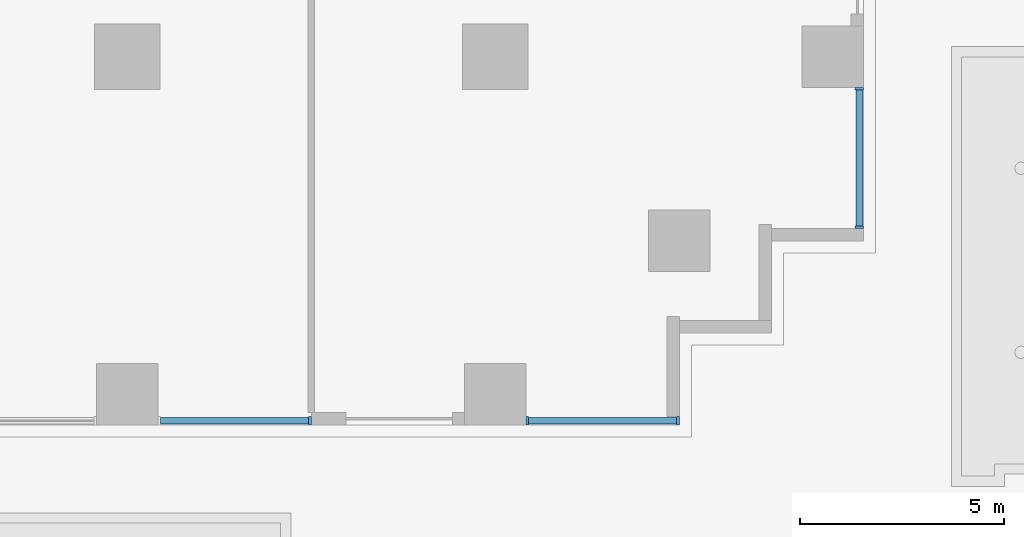
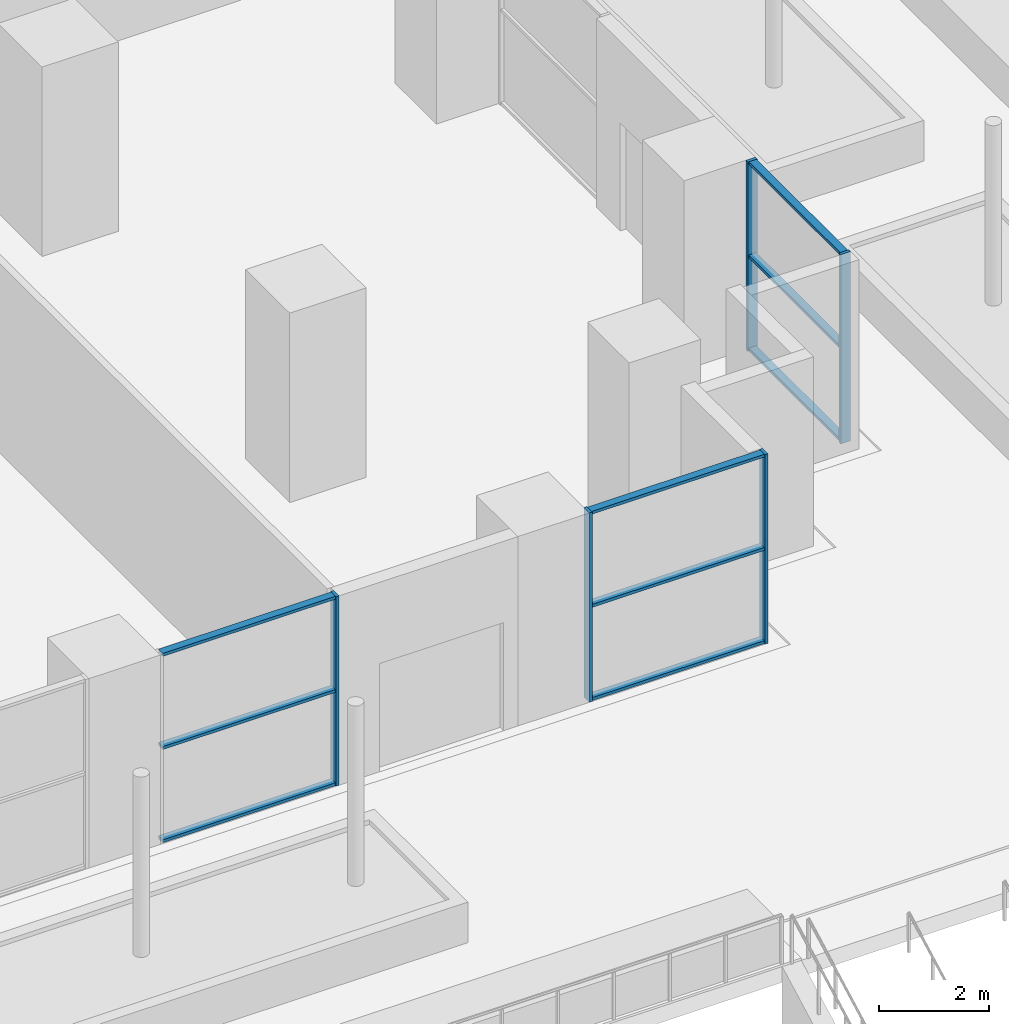
# One storey, part 3 of 18: 14 members, 3 elements without a shape of their own.
"""IFC4 building model written with IfcOpenShell, lengths in metres."""

from ifc_helpers import new_model, si_unit, direction, frame, origin, origin_2d, place, context, subcontext, project, spatial, rectangle, extrude, material, material_profile, profile_set, type_object, element, aggregate, save


model = new_model("IFC4")

# Units and contexts
model_context = context("Model", 3, precision=1e-05, world=origin(), true_north=direction((0.0, 1.0)))
body_context = subcontext(model_context, "Body", "Model", "MODEL_VIEW")
ifc_project = project(units=[si_unit("LENGTHUNIT", "METRE"), si_unit("AREAUNIT", "SQUARE_METRE"), si_unit("VOLUMEUNIT", "CUBIC_METRE"), si_unit("PLANEANGLEUNIT", "RADIAN"), si_unit("MASSUNIT", "GRAM", prefix="KILO")], contexts=[model_context])

# Site, building, storey
site_placement = place(None, origin())
site = spatial("IfcSite", under=ifc_project, at=site_placement, CompositionType="ELEMENT")
building_placement = place(site_placement, origin())
building = spatial("IfcBuilding", under=site, at=building_placement, Name="Orbiselva Terraces", CompositionType="ELEMENT")
storey_placement = place(building_placement, frame((0.0, 0.0, 10.5)))
storey = spatial("IfcBuildingStorey", under=building, at=storey_placement, Name="L02", CompositionType="ELEMENT", Elevation=10.5)

# Curtain wall, member
ifc_material_1 = material(Name="Clear low-e glazing in aluminium frame", Category="aluminium")
curtain_wall_type = type_object("IfcCurtainWallType", Name="ENV-CW-PAVILION", PredefinedType="NOTDEFINED", material=ifc_material_1)
curtain_wall_1_placement = place(storey_placement, origin())
curtain_wall_1 = element("IfcCurtainWall", 1, at=curtain_wall_1_placement, inside=storey, type_object=curtain_wall_type, Name="Curtain wall L02 S", PredefinedType="NOTDEFINED")
ifc_material_2 = material(Name="Anodised aluminium", Category="aluminium")
ifc_material_profile_1 = material_profile(ifc_material_2, rectangle(XDim=0.2, YDim=0.065, at=origin_2d()), Name="AL 65x200")
ifc_profile_set_1 = profile_set([ifc_material_profile_1], Name="Anodised aluminium")
member_type_1 = type_object("IfcMemberType", Name="ENV-CW-PAVILION-MULLION-65x200", PredefinedType="MULLION", material=ifc_profile_set_1)
member_1_placement = place(storey_placement, frame((13.4675, -22.4, 0.0), z_axis=(0.0, 0.0, 1.0), x_axis=(0.0, 1.0, 0.0)))
member_1 = element("IfcMember", 2, at=member_1_placement, type_object=member_type_1, Name="CW2 mullion 2", PredefinedType="MULLION", context=body_context, shape_type="SweptSolid", body=[
    extrude(rectangle(XDim=0.2, YDim=0.065, at=origin_2d()), origin(), (0.0, 0.0, 1.0), 4.2),
])

# Curtain wall, members
curtain_wall_2_placement = place(storey_placement, origin())
curtain_wall_2 = element("IfcCurtainWall", 3, at=curtain_wall_2_placement, inside=storey, type_object=curtain_wall_type, Name="Curtain wall L02 S", PredefinedType="NOTDEFINED")
member_2_placement = place(storey_placement, frame((18.7825, -22.4, 0.0), z_axis=(0.0, 0.0, 1.0), x_axis=(0.0, 1.0, 0.0)))
member_2 = element("IfcMember", 4, at=member_2_placement, type_object=member_type_1, Name="CW2 mullion 1", PredefinedType="MULLION", context=body_context, shape_type="SweptSolid", body=[
    extrude(rectangle(XDim=0.2, YDim=0.065, at=origin_2d()), origin(), (0.0, 0.0, 1.0), 4.2),
])
member_3_placement = place(storey_placement, frame((22.4675, -22.4, 0.0), z_axis=(0.0, 0.0, 1.0), x_axis=(0.0, 1.0, 0.0)))
member_3 = element("IfcMember", 5, at=member_3_placement, type_object=member_type_1, Name="CW2 mullion 2", PredefinedType="MULLION", context=body_context, shape_type="SweptSolid", body=[
    extrude(rectangle(XDim=0.2, YDim=0.065, at=origin_2d()), origin(), (0.0, 0.0, 1.0), 4.2),
])

curtain_wall_3_placement = place(storey_placement, origin())
curtain_wall_3 = element("IfcCurtainWall", 6, at=curtain_wall_3_placement, inside=storey, type_object=curtain_wall_type, Name="Curtain wall L02 E", PredefinedType="NOTDEFINED")
member_4_placement = place(storey_placement, frame((26.9, -17.6675, 0.0), z_axis=(0.0, 0.0, 1.0), x_axis=(-1.0, 0.0, 0.0)))
member_4 = element("IfcMember", 7, at=member_4_placement, type_object=member_type_1, Name="CW2 mullion 1", PredefinedType="MULLION", context=body_context, shape_type="SweptSolid", body=[
    extrude(rectangle(XDim=0.2, YDim=0.065, at=origin_2d()), origin(), (0.0, 0.0, 1.0), 4.2),
])
member_5_placement = place(storey_placement, frame((26.9, -14.2825, 0.0), z_axis=(0.0, 0.0, 1.0), x_axis=(-1.0, 0.0, 0.0)))
member_5 = element("IfcMember", 8, at=member_5_placement, type_object=member_type_1, Name="CW2 mullion 2", PredefinedType="MULLION", context=body_context, shape_type="SweptSolid", body=[
    extrude(rectangle(XDim=0.2, YDim=0.065, at=origin_2d()), origin(), (0.0, 0.0, 1.0), 4.2),
])

# Member
ifc_material_profile_2 = material_profile(ifc_material_2, rectangle(XDim=0.16, YDim=0.065, at=origin_2d()), Name="AL 65x160")
ifc_profile_set_2 = profile_set([ifc_material_profile_2], Name="Anodised aluminium")
member_type_2 = type_object("IfcMemberType", Name="ENV-CW-PAVILION-TRANSOM-65x160", PredefinedType="USERDEFINED", material=ifc_profile_set_2)
member_6_placement = place(storey_placement, frame((9.815, -22.4, 0.0325), z_axis=(1.0, 0.0, 0.0), x_axis=(0.0, 1.0, 0.0)))
member_6 = element("IfcMember", 9, at=member_6_placement, type_object=member_type_2, Name="CW2 transom 1.1", ObjectType="TRANSOM", PredefinedType="USERDEFINED", context=body_context, shape_type="SweptSolid", body=[
    extrude(rectangle(XDim=0.16, YDim=0.065, at=origin_2d()), origin(), (0.0, 0.0, 1.0), 3.62),
])

member_7_placement = place(storey_placement, frame((9.815, -22.4, 2.1), z_axis=(1.0, 0.0, 0.0), x_axis=(0.0, 1.0, 0.0)))
member_7 = element("IfcMember", 10, at=member_7_placement, type_object=member_type_2, Name="CW2 transom 1.2", ObjectType="TRANSOM", PredefinedType="USERDEFINED", context=body_context, shape_type="SweptSolid", body=[
    extrude(rectangle(XDim=0.16, YDim=0.065, at=origin_2d()), origin(), (0.0, 0.0, 1.0), 3.62),
])

member_8_placement = place(storey_placement, frame((9.815, -22.4, 4.1675), z_axis=(1.0, 0.0, 0.0), x_axis=(0.0, 1.0, 0.0)))
member_8 = element("IfcMember", 11, at=member_8_placement, type_object=member_type_2, Name="CW2 transom 1.3", ObjectType="TRANSOM", PredefinedType="USERDEFINED", context=body_context, shape_type="SweptSolid", body=[
    extrude(rectangle(XDim=0.16, YDim=0.065, at=origin_2d()), origin(), (0.0, 0.0, 1.0), 3.62),
])

aggregate(curtain_wall_1, [member_1, member_6, member_7, member_8])

member_9_placement = place(storey_placement, frame((18.815, -22.4, 0.0325), z_axis=(1.0, 0.0, 0.0), x_axis=(0.0, 1.0, 0.0)))
member_9 = element("IfcMember", 12, at=member_9_placement, type_object=member_type_2, Name="CW2 transom 1.1", ObjectType="TRANSOM", PredefinedType="USERDEFINED", context=body_context, shape_type="SweptSolid", body=[
    extrude(rectangle(XDim=0.16, YDim=0.065, at=origin_2d()), origin(), (0.0, 0.0, 1.0), 3.62),
])

member_10_placement = place(storey_placement, frame((18.815, -22.4, 2.1), z_axis=(1.0, 0.0, 0.0), x_axis=(0.0, 1.0, 0.0)))
member_10 = element("IfcMember", 13, at=member_10_placement, type_object=member_type_2, Name="CW2 transom 1.2", ObjectType="TRANSOM", PredefinedType="USERDEFINED", context=body_context, shape_type="SweptSolid", body=[
    extrude(rectangle(XDim=0.16, YDim=0.065, at=origin_2d()), origin(), (0.0, 0.0, 1.0), 3.62),
])

member_11_placement = place(storey_placement, frame((18.815, -22.4, 4.1675), z_axis=(1.0, 0.0, 0.0), x_axis=(0.0, 1.0, 0.0)))
member_11 = element("IfcMember", 14, at=member_11_placement, type_object=member_type_2, Name="CW2 transom 1.3", ObjectType="TRANSOM", PredefinedType="USERDEFINED", context=body_context, shape_type="SweptSolid", body=[
    extrude(rectangle(XDim=0.16, YDim=0.065, at=origin_2d()), origin(), (0.0, 0.0, 1.0), 3.62),
])

aggregate(curtain_wall_2, [member_2, member_3, member_9, member_10, member_11])

member_12_placement = place(storey_placement, frame((26.9, -17.635, 0.0325), z_axis=(0.0, 1.0, 0.0), x_axis=(-1.0, 0.0, 0.0)))
member_12 = element("IfcMember", 15, at=member_12_placement, type_object=member_type_2, Name="CW2 transom 1.1", ObjectType="TRANSOM", PredefinedType="USERDEFINED", context=body_context, shape_type="SweptSolid", body=[
    extrude(rectangle(XDim=0.16, YDim=0.065, at=origin_2d()), origin(), (0.0, 0.0, 1.0), 3.32),
])

member_13_placement = place(storey_placement, frame((26.9, -17.635, 2.1), z_axis=(0.0, 1.0, 0.0), x_axis=(-1.0, 0.0, 0.0)))
member_13 = element("IfcMember", 16, at=member_13_placement, type_object=member_type_2, Name="CW2 transom 1.2", ObjectType="TRANSOM", PredefinedType="USERDEFINED", context=body_context, shape_type="SweptSolid", body=[
    extrude(rectangle(XDim=0.16, YDim=0.065, at=origin_2d()), origin(), (0.0, 0.0, 1.0), 3.32),
])

member_14_placement = place(storey_placement, frame((26.9, -17.635, 4.1675), z_axis=(0.0, 1.0, 0.0), x_axis=(-1.0, 0.0, 0.0)))
member_14 = element("IfcMember", 17, at=member_14_placement, type_object=member_type_2, Name="CW2 transom 1.3", ObjectType="TRANSOM", PredefinedType="USERDEFINED", context=body_context, shape_type="SweptSolid", body=[
    extrude(rectangle(XDim=0.16, YDim=0.065, at=origin_2d()), origin(), (0.0, 0.0, 1.0), 3.32),
])

aggregate(curtain_wall_3, [member_4, member_5, member_12, member_13, member_14])

save(model, "model.ifc")
